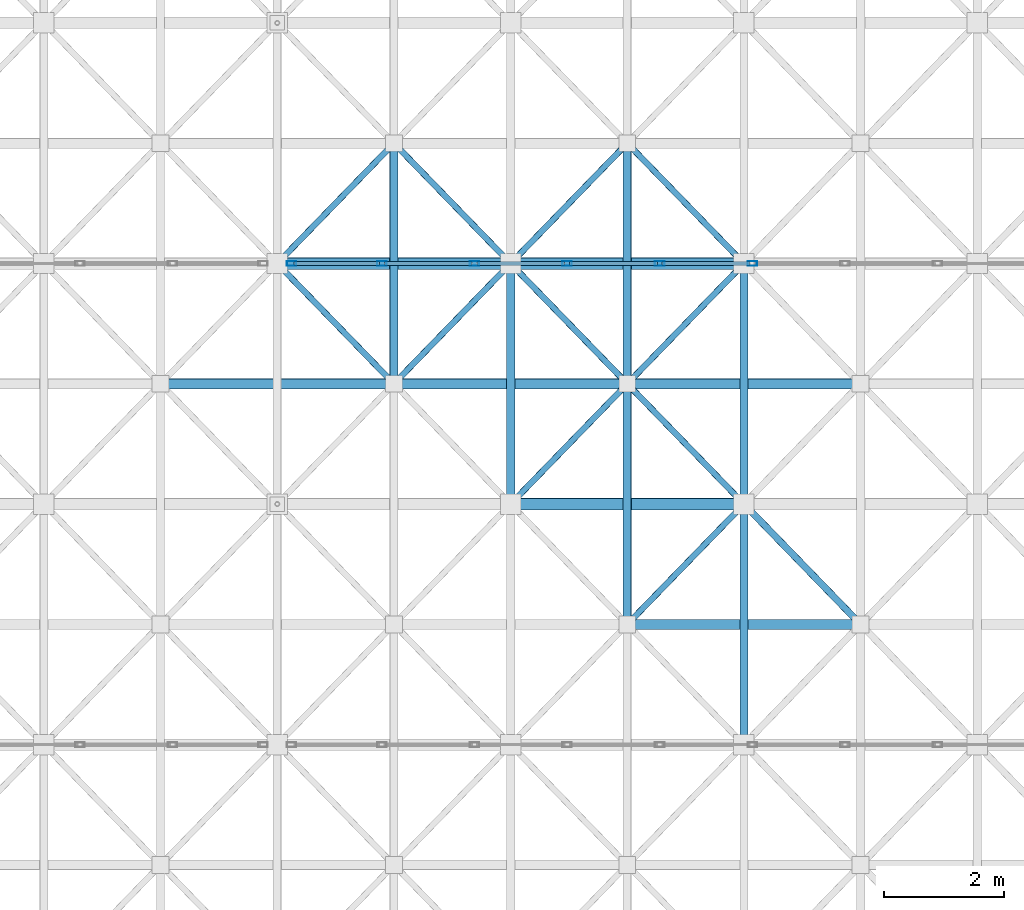
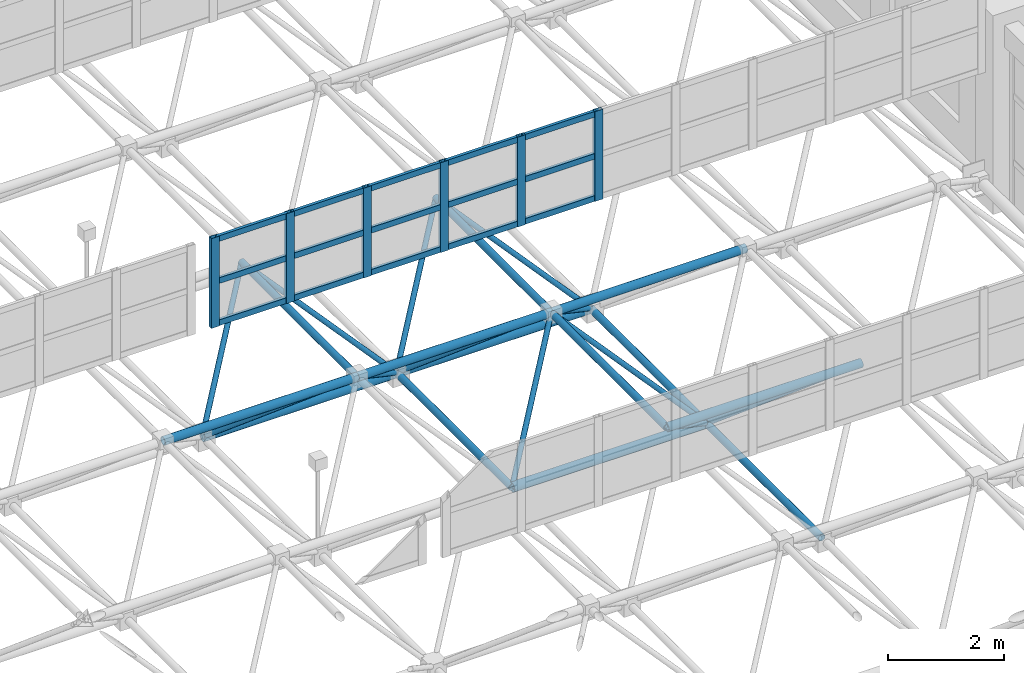
# One storey, part 58 of 195: 46 members, 1 element without a shape of its own.
"""IFC4 building model written with IfcOpenShell, lengths in metres."""

from ifc_helpers import new_model, si_unit, direction, frame, origin, origin_2d, place, context, subcontext, project, spatial, hollow_rectangle, hollow_circle, extrude, material, material_profile, profile_set, type_object, element, aggregate, save


model = new_model("IFC4")

# Units and contexts
model_context = context("Model", 3, precision=1e-05, world=origin(), true_north=direction((0.0, 1.0)))
body_context = subcontext(model_context, "Body", "Model", "MODEL_VIEW")
ifc_project = project(units=[si_unit("LENGTHUNIT", "METRE"), si_unit("AREAUNIT", "SQUARE_METRE"), si_unit("VOLUMEUNIT", "CUBIC_METRE"), si_unit("PLANEANGLEUNIT", "RADIAN"), si_unit("MASSUNIT", "GRAM", prefix="KILO")], contexts=[model_context])

# Site, building, storey
site_placement = place(None, origin())
site = spatial("IfcSite", under=ifc_project, at=site_placement, CompositionType="ELEMENT")
building_placement = place(site_placement, origin())
building = spatial("IfcBuilding", under=site, at=building_placement, Name="Kharva Crest Polytechnic", CompositionType="ELEMENT")
storey_placement = place(building_placement, frame((0.0, 0.0, 9.0)))
storey = spatial("IfcBuildingStorey", under=building, at=storey_placement, Name="L02", CompositionType="ELEMENT", Elevation=9.0)

# Curtain wall, members
ifc_material_1 = material(Name="Tempered insulated glass", Category="glass")
curtain_wall_type = type_object("IfcCurtainWallType", Name="CW-SYS-NORTHLIGHT", PredefinedType="USERDEFINED", material=ifc_material_1)
curtain_wall_placement = place(storey_placement, origin())
curtain_wall = element("IfcCurtainWall", 1, at=curtain_wall_placement, inside=storey, type_object=curtain_wall_type, Name="L02 Glazed Curtain Wall CW-192", ObjectType="CURTAIN WALL", PredefinedType="USERDEFINED")
ifc_material_2 = material(Name="Steel S355", Category="steel")
ifc_material_profile_1 = material_profile(ifc_material_2, hollow_rectangle(XDim=0.080078125, YDim=0.159912109375, WallThickness=0.0048828125, at=origin_2d()), Name="RHS 160X80X5.0")
ifc_profile_set_1 = profile_set([ifc_material_profile_1], Name="Steel S355")
member_type_1 = type_object("IfcMemberType", Name="CWM-RHS160X80", PredefinedType="MULLION", material=ifc_profile_set_1)
member_1_placement = place(storey_placement, frame((16.239990234375, 54.800048828125, 2.85009765625), z_axis=(0.0, 0.0, 1.0), x_axis=(0.0, 1.0, 0.0)))
member_1 = element("IfcMember", 2, at=member_1_placement, type_object=member_type_1, Name="CW-192 mullion 1", PredefinedType="MULLION", context=body_context, shape_type="SweptSolid", body=[
    extrude(hollow_rectangle(XDim=0.080078125, YDim=0.159912109375, WallThickness=0.0048828125, at=origin_2d()), origin(), (0.0, 0.0, 1.0), 1.89990234375),
])
member_2_placement = place(storey_placement, frame((17.739990234375, 54.800048828125, 2.85009765625), z_axis=(0.0, 0.0, 1.0), x_axis=(0.0, 1.0, 0.0)))
member_2 = element("IfcMember", 3, at=member_2_placement, type_object=member_type_1, Name="CW-192 mullion 2", PredefinedType="MULLION", context=body_context, shape_type="SweptSolid", body=[
    extrude(hollow_rectangle(XDim=0.080078125, YDim=0.159912109375, WallThickness=0.0048828125, at=origin_2d()), origin(), (0.0, 0.0, 1.0), 1.89990234375),
])
member_3_placement = place(storey_placement, frame((19.280029296875, 54.800048828125, 2.85009765625), z_axis=(0.0, 0.0, 1.0), x_axis=(0.0, 1.0, 0.0)))
member_3 = element("IfcMember", 4, at=member_3_placement, type_object=member_type_1, Name="CW-192 mullion 3", PredefinedType="MULLION", context=body_context, shape_type="SweptSolid", body=[
    extrude(hollow_rectangle(XDim=0.080078125, YDim=0.159912109375, WallThickness=0.0048828125, at=origin_2d()), origin(), (0.0, 0.0, 1.0), 1.89990234375),
])
member_4_placement = place(storey_placement, frame((20.820068359375, 54.800048828125, 2.85009765625), z_axis=(0.0, 0.0, 1.0), x_axis=(0.0, 1.0, 0.0)))
member_4 = element("IfcMember", 5, at=member_4_placement, type_object=member_type_1, Name="CW-192 mullion 4", PredefinedType="MULLION", context=body_context, shape_type="SweptSolid", body=[
    extrude(hollow_rectangle(XDim=0.080078125, YDim=0.159912109375, WallThickness=0.0048828125, at=origin_2d()), origin(), (0.0, 0.0, 1.0), 1.89990234375),
])
member_5_placement = place(storey_placement, frame((22.360107421875, 54.800048828125, 2.85009765625), z_axis=(0.0, 0.0, 1.0), x_axis=(0.0, 1.0, 0.0)))
member_5 = element("IfcMember", 6, at=member_5_placement, type_object=member_type_1, Name="CW-192 mullion 5", PredefinedType="MULLION", context=body_context, shape_type="SweptSolid", body=[
    extrude(hollow_rectangle(XDim=0.080078125, YDim=0.159912109375, WallThickness=0.0048828125, at=origin_2d()), origin(), (0.0, 0.0, 1.0), 1.89990234375),
])
member_6_placement = place(storey_placement, frame((23.89990234375, 54.800048828125, 2.85009765625), z_axis=(0.0, 0.0, 1.0), x_axis=(0.0, 1.0, 0.0)))
member_6 = element("IfcMember", 7, at=member_6_placement, type_object=member_type_1, Name="CW-192 mullion 6", PredefinedType="MULLION", context=body_context, shape_type="SweptSolid", body=[
    extrude(hollow_rectangle(XDim=0.080078125, YDim=0.159912109375, WallThickness=0.0048828125, at=origin_2d()), origin(), (0.0, 0.0, 1.0), 1.89990234375),
])
ifc_material_profile_2 = material_profile(ifc_material_2, hollow_rectangle(XDim=0.06005859375, YDim=0.1201171875, WallThickness=0.00390625, at=origin_2d()), Name="RHS 120X60X4.0")
ifc_profile_set_2 = profile_set([ifc_material_profile_2], Name="Steel S355")
member_type_2 = type_object("IfcMemberType", Name="CWT-RHS120X60", PredefinedType="USERDEFINED", material=ifc_profile_set_2)
member_7_placement = place(storey_placement, frame((16.280029296875, 54.800048828125, 2.909912109375), z_axis=(1.0, 0.0, 0.0), x_axis=(0.0, 1.0, 0.0)))
member_7 = element("IfcMember", 8, at=member_7_placement, type_object=member_type_2, Name="CW-192 transom 1.1", ObjectType="TRANSOM", PredefinedType="USERDEFINED", context=body_context, shape_type="SweptSolid", body=[
    extrude(hollow_rectangle(XDim=0.06005859375, YDim=0.1201171875, WallThickness=0.00390625, at=origin_2d()), origin(), (0.0, 0.0, 1.0), 1.419921875),
])
member_8_placement = place(storey_placement, frame((16.280029296875, 54.800048828125, 3.800048828125), z_axis=(1.0, 0.0, 0.0), x_axis=(0.0, 1.0, 0.0)))
member_8 = element("IfcMember", 9, at=member_8_placement, type_object=member_type_2, Name="CW-192 transom 1.2", ObjectType="TRANSOM", PredefinedType="USERDEFINED", context=body_context, shape_type="SweptSolid", body=[
    extrude(hollow_rectangle(XDim=0.06005859375, YDim=0.1201171875, WallThickness=0.00390625, at=origin_2d()), origin(), (0.0, 0.0, 1.0), 1.419921875),
])
member_9_placement = place(storey_placement, frame((16.280029296875, 54.800048828125, 4.68994140625), z_axis=(1.0, 0.0, 0.0), x_axis=(0.0, 1.0, 0.0)))
member_9 = element("IfcMember", 10, at=member_9_placement, type_object=member_type_2, Name="CW-192 transom 1.3", ObjectType="TRANSOM", PredefinedType="USERDEFINED", context=body_context, shape_type="SweptSolid", body=[
    extrude(hollow_rectangle(XDim=0.06005859375, YDim=0.1201171875, WallThickness=0.00390625, at=origin_2d()), origin(), (0.0, 0.0, 1.0), 1.419921875),
])
member_10_placement = place(storey_placement, frame((17.780029296875, 54.800048828125, 2.909912109375), z_axis=(1.0, 0.0, 0.0), x_axis=(0.0, 1.0, 0.0)))
member_10 = element("IfcMember", 11, at=member_10_placement, type_object=member_type_2, Name="CW-192 transom 2.1", ObjectType="TRANSOM", PredefinedType="USERDEFINED", context=body_context, shape_type="SweptSolid", body=[
    extrude(hollow_rectangle(XDim=0.06005859375, YDim=0.1201171875, WallThickness=0.00390625, at=origin_2d()), origin(), (0.0, 0.0, 1.0), 1.4599609375),
])
member_11_placement = place(storey_placement, frame((17.780029296875, 54.800048828125, 3.800048828125), z_axis=(1.0, 0.0, 0.0), x_axis=(0.0, 1.0, 0.0)))
member_11 = element("IfcMember", 12, at=member_11_placement, type_object=member_type_2, Name="CW-192 transom 2.2", ObjectType="TRANSOM", PredefinedType="USERDEFINED", context=body_context, shape_type="SweptSolid", body=[
    extrude(hollow_rectangle(XDim=0.06005859375, YDim=0.1201171875, WallThickness=0.00390625, at=origin_2d()), origin(), (0.0, 0.0, 1.0), 1.4599609375),
])
member_12_placement = place(storey_placement, frame((17.780029296875, 54.800048828125, 4.68994140625), z_axis=(1.0, 0.0, 0.0), x_axis=(0.0, 1.0, 0.0)))
member_12 = element("IfcMember", 13, at=member_12_placement, type_object=member_type_2, Name="CW-192 transom 2.3", ObjectType="TRANSOM", PredefinedType="USERDEFINED", context=body_context, shape_type="SweptSolid", body=[
    extrude(hollow_rectangle(XDim=0.06005859375, YDim=0.1201171875, WallThickness=0.00390625, at=origin_2d()), origin(), (0.0, 0.0, 1.0), 1.4599609375),
])
member_13_placement = place(storey_placement, frame((19.320068359375, 54.800048828125, 2.909912109375), z_axis=(1.0, 0.0, 0.0), x_axis=(0.0, 1.0, 0.0)))
member_13 = element("IfcMember", 14, at=member_13_placement, type_object=member_type_2, Name="CW-192 transom 3.1", ObjectType="TRANSOM", PredefinedType="USERDEFINED", context=body_context, shape_type="SweptSolid", body=[
    extrude(hollow_rectangle(XDim=0.06005859375, YDim=0.1201171875, WallThickness=0.00390625, at=origin_2d()), origin(), (0.0, 0.0, 1.0), 1.4599609375),
])
member_14_placement = place(storey_placement, frame((19.320068359375, 54.800048828125, 3.800048828125), z_axis=(1.0, 0.0, 0.0), x_axis=(0.0, 1.0, 0.0)))
member_14 = element("IfcMember", 15, at=member_14_placement, type_object=member_type_2, Name="CW-192 transom 3.2", ObjectType="TRANSOM", PredefinedType="USERDEFINED", context=body_context, shape_type="SweptSolid", body=[
    extrude(hollow_rectangle(XDim=0.06005859375, YDim=0.1201171875, WallThickness=0.00390625, at=origin_2d()), origin(), (0.0, 0.0, 1.0), 1.4599609375),
])
member_15_placement = place(storey_placement, frame((19.320068359375, 54.800048828125, 4.68994140625), z_axis=(1.0, 0.0, 0.0), x_axis=(0.0, 1.0, 0.0)))
member_15 = element("IfcMember", 16, at=member_15_placement, type_object=member_type_2, Name="CW-192 transom 3.3", ObjectType="TRANSOM", PredefinedType="USERDEFINED", context=body_context, shape_type="SweptSolid", body=[
    extrude(hollow_rectangle(XDim=0.06005859375, YDim=0.1201171875, WallThickness=0.00390625, at=origin_2d()), origin(), (0.0, 0.0, 1.0), 1.4599609375),
])
member_16_placement = place(storey_placement, frame((20.860107421875, 54.800048828125, 2.909912109375), z_axis=(1.0, 0.0, 0.0), x_axis=(0.0, 1.0, 0.0)))
member_16 = element("IfcMember", 17, at=member_16_placement, type_object=member_type_2, Name="CW-192 transom 4.1", ObjectType="TRANSOM", PredefinedType="USERDEFINED", context=body_context, shape_type="SweptSolid", body=[
    extrude(hollow_rectangle(XDim=0.06005859375, YDim=0.1201171875, WallThickness=0.00390625, at=origin_2d()), origin(), (0.0, 0.0, 1.0), 1.4599609375),
])
member_17_placement = place(storey_placement, frame((20.860107421875, 54.800048828125, 3.800048828125), z_axis=(1.0, 0.0, 0.0), x_axis=(0.0, 1.0, 0.0)))
member_17 = element("IfcMember", 18, at=member_17_placement, type_object=member_type_2, Name="CW-192 transom 4.2", ObjectType="TRANSOM", PredefinedType="USERDEFINED", context=body_context, shape_type="SweptSolid", body=[
    extrude(hollow_rectangle(XDim=0.06005859375, YDim=0.1201171875, WallThickness=0.00390625, at=origin_2d()), origin(), (0.0, 0.0, 1.0), 1.4599609375),
])
member_18_placement = place(storey_placement, frame((20.860107421875, 54.800048828125, 4.68994140625), z_axis=(1.0, 0.0, 0.0), x_axis=(0.0, 1.0, 0.0)))
member_18 = element("IfcMember", 19, at=member_18_placement, type_object=member_type_2, Name="CW-192 transom 4.3", ObjectType="TRANSOM", PredefinedType="USERDEFINED", context=body_context, shape_type="SweptSolid", body=[
    extrude(hollow_rectangle(XDim=0.06005859375, YDim=0.1201171875, WallThickness=0.00390625, at=origin_2d()), origin(), (0.0, 0.0, 1.0), 1.4599609375),
])
member_19_placement = place(storey_placement, frame((22.39990234375, 54.800048828125, 2.909912109375), z_axis=(1.0, 0.0, 0.0), x_axis=(0.0, 1.0, 0.0)))
member_19 = element("IfcMember", 20, at=member_19_placement, type_object=member_type_2, Name="CW-192 transom 5.1", ObjectType="TRANSOM", PredefinedType="USERDEFINED", context=body_context, shape_type="SweptSolid", body=[
    extrude(hollow_rectangle(XDim=0.06005859375, YDim=0.1201171875, WallThickness=0.00390625, at=origin_2d()), origin(), (0.0, 0.0, 1.0), 1.460205078125),
])
member_20_placement = place(storey_placement, frame((22.39990234375, 54.800048828125, 3.800048828125), z_axis=(1.0, 0.0, 0.0), x_axis=(0.0, 1.0, 0.0)))
member_20 = element("IfcMember", 21, at=member_20_placement, type_object=member_type_2, Name="CW-192 transom 5.2", ObjectType="TRANSOM", PredefinedType="USERDEFINED", context=body_context, shape_type="SweptSolid", body=[
    extrude(hollow_rectangle(XDim=0.06005859375, YDim=0.1201171875, WallThickness=0.00390625, at=origin_2d()), origin(), (0.0, 0.0, 1.0), 1.460205078125),
])
member_21_placement = place(storey_placement, frame((22.39990234375, 54.800048828125, 4.68994140625), z_axis=(1.0, 0.0, 0.0), x_axis=(0.0, 1.0, 0.0)))
member_21 = element("IfcMember", 22, at=member_21_placement, type_object=member_type_2, Name="CW-192 transom 5.3", ObjectType="TRANSOM", PredefinedType="USERDEFINED", context=body_context, shape_type="SweptSolid", body=[
    extrude(hollow_rectangle(XDim=0.06005859375, YDim=0.1201171875, WallThickness=0.00390625, at=origin_2d()), origin(), (0.0, 0.0, 1.0), 1.460205078125),
])
aggregate(curtain_wall, [member_1, member_2, member_3, member_4, member_5, member_6, member_7, member_8, member_9, member_10, member_11, member_12, member_13, member_14, member_15, member_16, member_17, member_18, member_19, member_20, member_21])

# Members
ifc_material_profile_3 = material_profile(ifc_material_2, hollow_circle(Radius=0.05078125, WallThickness=0.0048828125, at=origin_2d()), Name="CHS 101.6X5.0")
ifc_profile_set_3 = profile_set([ifc_material_profile_3], Name="Steel S355")
member_type_3 = type_object("IfcMemberType", Name="MEM-CHS101", PredefinedType="BRACE", material=ifc_profile_set_3)
for number, where, z_axis, x_axis, name in (
    (23, (16.0, 54.800048828125, 0.60009765625), (0.584843378742, -0.602949529154, 0.542595694449), (0.717802189577, 0.696247094528, 0.0), "Space Frame Web Diagonal 687"),
    (24, (19.8798828125, 54.800048828125, 0.60009765625), (-0.584843378742, -0.602949529154, 0.542595694449), (0.717802189577, -0.696247094528, 0.0), "Space Frame Web Diagonal 688"),
    (25, (16.0, 54.800048828125, 0.60009765625), (0.584843378742, 0.602949529154, 0.542595694449), (-0.717802189577, 0.696247094528, 0.0), "Space Frame Web Diagonal 689"),
    (26, (19.8798828125, 54.800048828125, 0.60009765625), (-0.584843378742, 0.602949529154, 0.542595694449), (-0.717802189577, -0.696247094528, 0.0), "Space Frame Web Diagonal 690"),
    (27, (23.760009765625, 50.800048828125, 0.60009765625), (-0.584843378742, -0.602949529154, 0.542595694449), (0.717802189577, -0.696247094528, 0.0), "Space Frame Web Diagonal 740"),
    (28, (19.8798828125, 50.800048828125, 0.60009765625), (0.584891802813, 0.602923574763, 0.542572338032), (-0.717758400015, 0.696292236929, 0.0), "Space Frame Web Diagonal 741"),
    (29, (23.760009765625, 50.800048828125, 0.60009765625), (-0.584843378742, 0.602949529154, 0.542595694449), (-0.717802189577, -0.696247094528, 0.0), "Space Frame Web Diagonal 742"),
    (30, (19.8798828125, 54.800048828125, 0.60009765625), (0.584891802813, -0.602923574763, 0.542572338032), (0.717758400015, 0.696292236929, 0.0), "Space Frame Web Diagonal 743"),
    (31, (23.760009765625, 54.800048828125, 0.60009765625), (-0.584843378742, -0.602949529154, 0.542595694449), (0.717802189577, -0.696247094528, 0.0), "Space Frame Web Diagonal 744"),
    (32, (19.8798828125, 54.800048828125, 0.60009765625), (0.584891802813, 0.602923574763, 0.542572338032), (-0.717758400015, 0.696292236929, 0.0), "Space Frame Web Diagonal 745"),
    (33, (23.760009765625, 54.800048828125, 0.60009765625), (-0.584843378742, 0.602949529154, 0.542595694449), (-0.717802189577, -0.696247094528, 0.0), "Space Frame Web Diagonal 746"),
):
    element("IfcMember", number, at=place(storey_placement, frame(where, z_axis=z_axis, x_axis=x_axis)), inside=storey, type_object=member_type_3, Name=name, PredefinedType="BRACE", context=body_context, shape_type="SweptSolid", body=[
        extrude(hollow_circle(Radius=0.05078125, WallThickness=0.0048828125, at=origin_2d()), origin(), (0.0, 0.0, 1.0), 3.317138671875),
    ])
ifc_material_profile_4 = material_profile(ifc_material_2, hollow_circle(Radius=0.05712890625, WallThickness=0.00634765625, at=origin_2d()), Name="CHS 114.3X6.3")
ifc_profile_set_4 = profile_set([ifc_material_profile_4], Name="Steel S355")
member_type_4 = type_object("IfcMemberType", Name="MEM-CHS114", PredefinedType="BRACE", material=ifc_profile_set_4)
member_22_placement = place(storey_placement, frame((23.760009765625, 50.800048828125, 0.60009765625), z_axis=(0.584843378742, -0.602949529154, 0.542595694449), x_axis=(0.717802189577, 0.696247094528, 0.0)))
element("IfcMember", 34, at=member_22_placement, inside=storey, type_object=member_type_4, Name="Space Frame Web Diagonal 795", PredefinedType="BRACE", context=body_context, shape_type="SweptSolid", body=[
    extrude(hollow_circle(Radius=0.05712890625, WallThickness=0.00634765625, at=origin_2d()), origin(), (0.0, 0.0, 1.0), 3.317138671875),
])
ifc_material_profile_5 = material_profile(ifc_material_2, hollow_circle(Radius=0.06982421875, WallThickness=0.00634765625, at=origin_2d()), Name="CHS 139.7X6.3")
ifc_profile_set_5 = profile_set([ifc_material_profile_5], Name="Steel S355")
member_type_5 = type_object("IfcMemberType", Name="MEM-CHS139", PredefinedType="CHORD", material=ifc_profile_set_5)
for number, where, z_axis, x_axis, name in (
    (35, (19.8798828125, 50.800048828125, 0.60009765625), (0.0, 1.0, 0.0), (-1.0, 0.0, 0.0), "Space Frame Bottom Chord Y 194"),
    (36, (23.760009765625, 46.800048828125, 0.60009765625), (0.0, 1.0, 0.0), (-1.0, 0.0, 0.0), "Space Frame Bottom Chord Y 207"),
    (37, (23.760009765625, 50.800048828125, 0.60009765625), (0.0, 1.0, 0.0), (-1.0, 0.0, 0.0), "Space Frame Bottom Chord Y 208"),
    (38, (17.93994140625, 52.800048828125, 2.39990234375), (0.0, 1.0, 0.0), (-1.0, 0.0, 0.0), "Space Frame Top Chord Y 400"),
    (39, (21.820068359375, 48.800048828125, 2.39990234375), (0.0, 1.0, 0.0), (-1.0, 0.0, 0.0), "Space Frame Top Chord Y 412"),
    (40, (21.820068359375, 52.800048828125, 2.39990234375), (0.0, 1.0, 0.0), (-1.0, 0.0, 0.0), "Space Frame Top Chord Y 413"),
):
    element("IfcMember", number, at=place(storey_placement, frame(where, z_axis=z_axis, x_axis=x_axis)), inside=storey, type_object=member_type_5, Name=name, PredefinedType="CHORD", context=body_context, shape_type="SweptSolid", body=[
        extrude(hollow_circle(Radius=0.06982421875, WallThickness=0.00634765625, at=origin_2d()), origin(), (0.0, 0.0, 1.0), 4.0),
    ])
ifc_material_profile_6 = material_profile(ifc_material_2, hollow_circle(Radius=0.084228515625, WallThickness=0.008056640625, at=origin_2d()), Name="CHS 168.3X8.0")
ifc_profile_set_6 = profile_set([ifc_material_profile_6], Name="Steel S355")
member_type_6 = type_object("IfcMemberType", Name="MEM-CHS168", PredefinedType="CHORD", material=ifc_profile_set_6)
for number, where, z_axis, x_axis, name in (
    (41, (21.820068359375, 48.800048828125, 2.39990234375), (1.0, 0.0, 0.0), (0.0, 1.0, 0.0), "Space Frame Top Chord X 266"),
    (42, (14.06005859375, 52.800048828125, 2.39990234375), (1.0, 0.0, 0.0), (0.0, 1.0, 0.0), "Space Frame Top Chord X 271"),
):
    element("IfcMember", number, at=place(storey_placement, frame(where, z_axis=z_axis, x_axis=x_axis)), inside=storey, type_object=member_type_6, Name=name, PredefinedType="CHORD", context=body_context, shape_type="SweptSolid", body=[
        extrude(hollow_circle(Radius=0.084228515625, WallThickness=0.008056640625, at=origin_2d()), origin(), (0.0, 0.0, 1.0), 3.8798828125),
    ])
member_23_placement = place(storey_placement, frame((17.93994140625, 52.800048828125, 2.39990234375), z_axis=(1.0, 0.0, 0.0), x_axis=(0.0, 1.0, 0.0)))
element("IfcMember", 43, at=member_23_placement, inside=storey, type_object=member_type_6, Name="Space Frame Top Chord X 272", PredefinedType="CHORD", context=body_context, shape_type="SweptSolid", body=[
    extrude(hollow_circle(Radius=0.084228515625, WallThickness=0.008056640625, at=origin_2d()), origin(), (0.0, 0.0, 1.0), 3.880126953125),
])
member_24_placement = place(storey_placement, frame((21.820068359375, 52.800048828125, 2.39990234375), z_axis=(1.0, 0.0, 0.0), x_axis=(0.0, 1.0, 0.0)))
element("IfcMember", 44, at=member_24_placement, inside=storey, type_object=member_type_6, Name="Space Frame Top Chord X 273", PredefinedType="CHORD", context=body_context, shape_type="SweptSolid", body=[
    extrude(hollow_circle(Radius=0.084228515625, WallThickness=0.008056640625, at=origin_2d()), origin(), (0.0, 0.0, 1.0), 3.8798828125),
])
ifc_material_profile_7 = material_profile(ifc_material_2, hollow_circle(Radius=0.096923828125, WallThickness=0.008056640625, at=origin_2d()), Name="CHS 193.7X8.0")
ifc_profile_set_7 = profile_set([ifc_material_profile_7], Name="Steel S355")
member_type_7 = type_object("IfcMemberType", Name="MEM-CHS193", PredefinedType="CHORD", material=ifc_profile_set_7)
member_25_placement = place(storey_placement, frame((19.8798828125, 50.800048828125, 0.60009765625), z_axis=(1.0, 0.0, 0.0), x_axis=(0.0, 1.0, 0.0)))
element("IfcMember", 45, at=member_25_placement, inside=storey, type_object=member_type_7, Name="Space Frame Bottom Chord X 30", PredefinedType="CHORD", context=body_context, shape_type="SweptSolid", body=[
    extrude(hollow_circle(Radius=0.096923828125, WallThickness=0.008056640625, at=origin_2d()), origin(), (0.0, 0.0, 1.0), 3.880126953125),
])
member_26_placement = place(storey_placement, frame((16.0, 54.800048828125, 0.60009765625), z_axis=(1.0, 0.0, 0.0), x_axis=(0.0, 1.0, 0.0)))
element("IfcMember", 46, at=member_26_placement, inside=storey, type_object=member_type_7, Name="Space Frame Bottom Chord X 37", PredefinedType="CHORD", context=body_context, shape_type="SweptSolid", body=[
    extrude(hollow_circle(Radius=0.096923828125, WallThickness=0.008056640625, at=origin_2d()), origin(), (0.0, 0.0, 1.0), 3.8798828125),
])
member_27_placement = place(storey_placement, frame((19.8798828125, 54.800048828125, 0.60009765625), z_axis=(1.0, 0.0, 0.0), x_axis=(0.0, 1.0, 0.0)))
element("IfcMember", 47, at=member_27_placement, inside=storey, type_object=member_type_7, Name="Space Frame Bottom Chord X 38", PredefinedType="CHORD", context=body_context, shape_type="SweptSolid", body=[
    extrude(hollow_circle(Radius=0.096923828125, WallThickness=0.008056640625, at=origin_2d()), origin(), (0.0, 0.0, 1.0), 3.880126953125),
])

save(model, "model.ifc")
